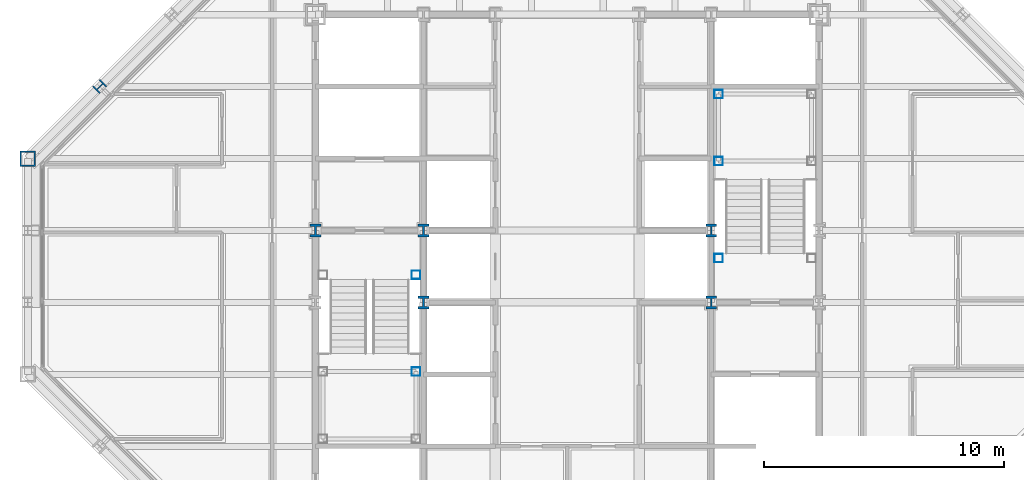
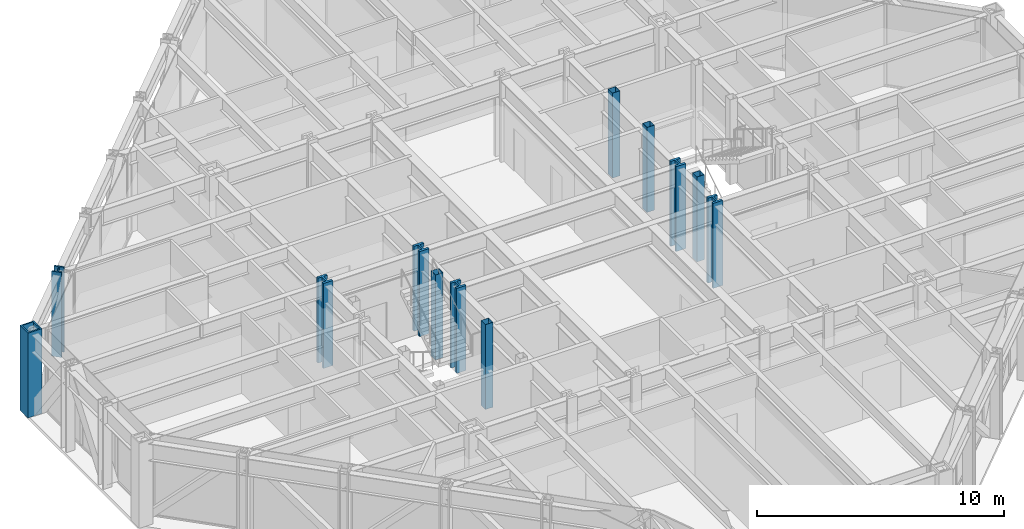
# One storey, part 2 of 15: 12 columns.
"""IFC4 building model written with IfcOpenShell, lengths in metres."""

from ifc_helpers import new_model, si_unit, direction, frame, origin, origin_2d, place, context, subcontext, project, spatial, hollow_rectangle, i_section, extrude, material, material_profile, profile_set, type_object, element, save


model = new_model("IFC4")

# Units and contexts
model_context = context("Model", 3, precision=1e-05, world=origin(), true_north=direction((0.0, 1.0)))
body_context = subcontext(model_context, "Body", "Model", "MODEL_VIEW")
ifc_project = project(units=[si_unit("LENGTHUNIT", "METRE"), si_unit("AREAUNIT", "SQUARE_METRE"), si_unit("VOLUMEUNIT", "CUBIC_METRE"), si_unit("PLANEANGLEUNIT", "RADIAN"), si_unit("MASSUNIT", "GRAM", prefix="KILO")], contexts=[model_context])

# Site, building, storey
site_placement = place(None, origin())
site = spatial("IfcSite", under=ifc_project, at=site_placement, CompositionType="ELEMENT")
building_placement = place(site_placement, origin())
building = spatial("IfcBuilding", under=site, at=building_placement, Name="Chuquiago Exchange Tower", CompositionType="ELEMENT")
storey_placement = place(building_placement, frame((0.0, 0.0, 266.39990234375)))
storey = spatial("IfcBuildingStorey", under=building, at=storey_placement, Name="L59", CompositionType="ELEMENT", Elevation=266.39990234375)

# Columns
ifc_material_1 = material(Name="Steel ASTM A992", Category="steel")
ifc_material_profile_1 = material_profile(ifc_material_1, i_section(OverallWidth=0.449462890625, OverallDepth=0.548583984375, WebThickness=0.07177734375, FlangeThickness=0.11474609375, at=origin_2d()), Name="W14X665")
ifc_profile_set_1 = profile_set([ifc_material_profile_1], Name="Steel ASTM A992")
column_type_1 = type_object("IfcColumnType", Name="CC5 W14X665", PredefinedType="COLUMN", material=ifc_profile_set_1)
for number, where, z_axis, x_axis, name in (
    (1, (12.0, 24.0, 0.0), (0.0, 0.0, 1.0), (1.0, 0.0, 0.0), "CCOL-L59-12_24"),
    (2, (16.5, 21.0, 0.0), (0.0, 0.0, 1.0), (1.0, 0.0, 0.0), "CCOL-L59-16.5_21"),
    (3, (16.5, 24.0, 0.0), (0.0, 0.0, 1.0), (1.0, 0.0, 0.0), "CCOL-L59-16.5_24"),
    (4, (28.5, 21.0, 0.0), (0.0, 0.0, 1.0), (1.0, 0.0, 0.0), "CCOL-L59-28.5_21"),
    (5, (28.5, 24.0, 0.0), (0.0, 0.0, 1.0), (1.0, 0.0, 0.0), "CCOL-L59-28.5_24"),
):
    element("IfcColumn", number, at=place(storey_placement, frame(where, z_axis=z_axis, x_axis=x_axis)), inside=storey, type_object=column_type_1, Name=name, PredefinedType="COLUMN", context=body_context, shape_type="SweptSolid", body=[
        extrude(i_section(OverallWidth=0.449462890625, OverallDepth=0.548583984375, WebThickness=0.07177734375, FlangeThickness=0.11474609375, at=origin_2d()), origin(), (0.0, 0.0, 1.0), 4.2001953125),
    ])
ifc_material_2 = material(Name="Steel ASTM A992", Category="steel")
ifc_material_profile_2 = material_profile(ifc_material_2, i_section(OverallWidth=0.41650390625, OverallDepth=0.444580078125, WebThickness=0.0390625, FlangeThickness=0.062744140625, at=origin_2d()), Name="W14X342")
ifc_profile_set_2 = profile_set([ifc_material_profile_2], Name="Steel ASTM A992")
column_type_2 = type_object("IfcColumnType", Name="CK5 W14X342", PredefinedType="COLUMN", material=ifc_profile_set_2)
column_1_placement = place(storey_placement, frame((3.0, 30.0, 0.0), z_axis=(0.0, 0.0, 1.0), x_axis=(-0.707106781187, 0.707106781187, 0.0)))
element("IfcColumn", 6, at=column_1_placement, inside=storey, type_object=column_type_2, Name="COL-L59-3_30", PredefinedType="COLUMN", context=body_context, shape_type="SweptSolid", body=[
    extrude(i_section(OverallWidth=0.41650390625, OverallDepth=0.444580078125, WebThickness=0.0390625, FlangeThickness=0.062744140625, at=origin_2d()), origin(), (0.0, 0.0, 1.0), 4.2001953125),
])
ifc_material_3 = material(Name="Steel ASTM A572 Grade 50", Category="steel")
ifc_material_profile_3 = material_profile(ifc_material_3, hollow_rectangle(XDim=0.64990234375, YDim=0.64990234375, WallThickness=0.06494140625, at=origin_2d()), Name="BOX650X650X65")
ifc_profile_set_3 = profile_set([ifc_material_profile_3], Name="Steel ASTM A572 Grade 50")
column_type_3 = type_object("IfcColumnType", Name="CN2 BOX650X650X65", PredefinedType="COLUMN", material=ifc_profile_set_3)
column_2_placement = place(storey_placement, frame((0.0, 27.0, 0.0), z_axis=(0.0, 0.0, 1.0), x_axis=(-1.0, 0.0, 0.0)))
element("IfcColumn", 7, at=column_2_placement, inside=storey, type_object=column_type_3, Name="COL-L59-0_27", PredefinedType="COLUMN", context=body_context, shape_type="SweptSolid", body=[
    extrude(hollow_rectangle(XDim=0.64990234375, YDim=0.64990234375, WallThickness=0.06494140625, at=origin_2d()), origin(), (0.0, 0.0, 1.0), 4.2001953125),
])
ifc_material_4 = material(Name="Steel ASTM A500 Grade C", Category="steel")
ifc_material_profile_4 = material_profile(ifc_material_4, hollow_rectangle(XDim=0.355712890625, YDim=0.355712890625, WallThickness=0.0087890625, at=origin_2d()), Name="HSS14X14X3/8")
ifc_profile_set_4 = profile_set([ifc_material_profile_4], Name="Steel ASTM A500 Grade C")
column_type_4 = type_object("IfcColumnType", Name="PT1 HSS14X14X3/8", PredefinedType="COLUMN", material=ifc_profile_set_4)
for number, where, z_axis, x_axis, name in (
    (8, (16.18994140625, 18.110107421875, 0.0), (0.0, 0.0, 1.0), (1.0, 0.0, 0.0), "Stair ST1 L59 landing post"),
    (9, (16.18994140625, 22.14990234375, 0.0), (0.0, 0.0, 1.0), (1.0, 0.0, 0.0), "Stair ST1 L59 landing post"),
    (10, (28.81005859375, 29.68994140625, 0.0), (0.0, 0.0, 1.0), (1.0, 0.0, 0.0), "Stair ST2 L59 landing post"),
    (11, (28.81005859375, 26.889892578125, 0.0), (0.0, 0.0, 1.0), (1.0, 0.0, 0.0), "Stair ST2 L59 landing post"),
    (12, (28.81005859375, 22.85009765625, 0.0), (0.0, 0.0, 1.0), (1.0, 0.0, 0.0), "Stair ST2 L59 landing post"),
):
    element("IfcColumn", number, at=place(storey_placement, frame(where, z_axis=z_axis, x_axis=x_axis)), inside=storey, type_object=column_type_4, Name=name, PredefinedType="COLUMN", context=body_context, shape_type="SweptSolid", body=[
        extrude(hollow_rectangle(XDim=0.355712890625, YDim=0.355712890625, WallThickness=0.0087890625, at=origin_2d()), origin(), (0.0, 0.0, 1.0), 4.2001953125),
    ])

save(model, "model.ifc")
